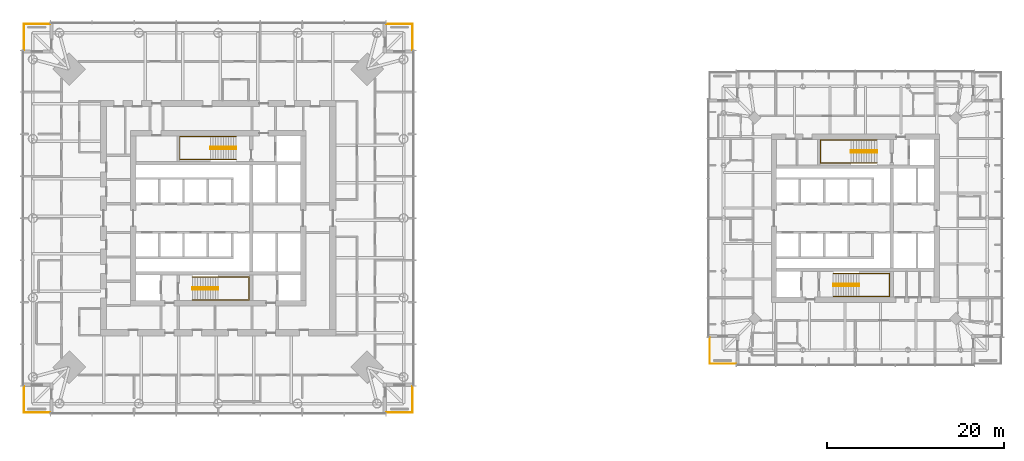
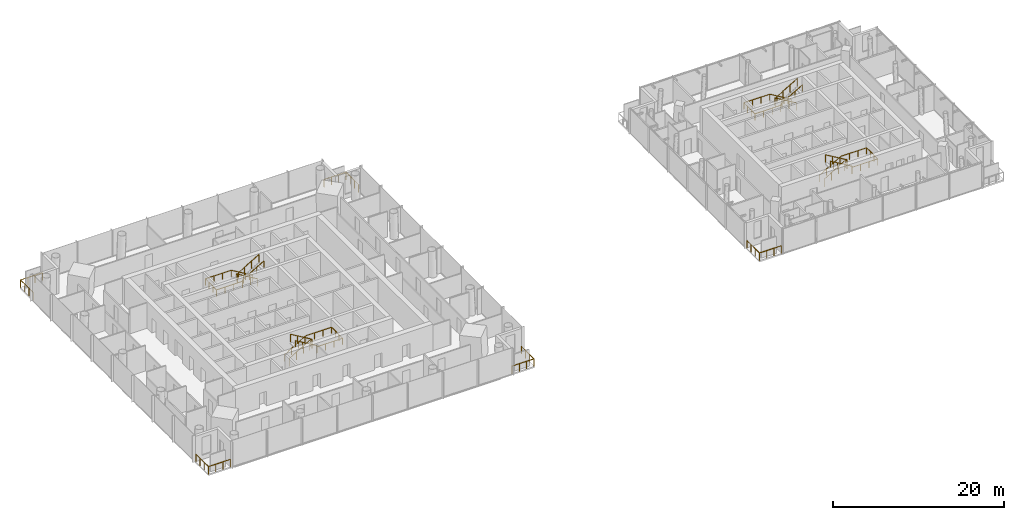
# One storey, part 18 of 19: 13 railings.
"""IFC4 building model written with IfcOpenShell, lengths in metres."""

import ifcopenshell
import ifcopenshell.guid

model = None  # the IFC model being written
_history = None  # IfcOwnerHistory: only IFC2X3 demands one
_inside = {}  # id of a spatial element -> (the spatial element, [elements in it])
_under = {}  # id of a project, library or spatial element -> (it, [spatial elements below it])
_declared = {}  # id of a project -> (the project, [libraries it declares])
_typed = {}  # id of a type object -> (the type object, [elements of that type])
_made_of = {}  # id of a material, layer set ... -> (it, [elements and type objects made of it])


def new_model(schema):
    """Start an empty IFC model of exactly this schema.

    Asked for "IFC4X3", IfcOpenShell would pick the latest addendum, in which some entities
    have other attributes; the version numbers below select the first issue.
    IFC2X3 requires an IfcOwnerHistory on every rooted entity: one is made here for all.
    """
    global model, _history
    if schema == "IFC4X3":
        model = ifcopenshell.file(schema_version=(4, 3, 0, 0))
    else:
        model = ifcopenshell.file(schema=schema)
    _inside.clear()
    _under.clear()
    _declared.clear()
    _typed.clear()
    _made_of.clear()
    _history = None
    if model.schema == "IFC2X3":
        org = make("IfcOrganization", Name="unknown")
        user = make(
            "IfcPersonAndOrganization",
            ThePerson=make("IfcPerson", FamilyName="unknown"),
            TheOrganization=org,
        )
        app = make(
            "IfcApplication",
            ApplicationDeveloper=org,
            Version="unknown",
            ApplicationFullName="unknown",
            ApplicationIdentifier="unknown",
        )
        _history = make(
            "IfcOwnerHistory",
            OwningUser=user,
            OwningApplication=app,
            ChangeAction="ADDED",
            CreationDate=0,
        )
    return model


def make(cls, **values):
    """One entity of the class cls with the attributes given. An attribute that is None is left unset."""
    return model.create_entity(
        cls, **{name: value for name, value in values.items() if value is not None}
    )


def rooted(cls, **values):
    """An entity with a GlobalId (a new one), such as an element, a storey or a relation."""
    return make(cls, GlobalId=ifcopenshell.guid.new(), OwnerHistory=_history, **values)


def si_unit(unit_type, name, prefix=None):
    """IfcSIUnit, for example si_unit("LENGTHUNIT", "METRE", prefix="MILLI")."""
    return make("IfcSIUnit", UnitType=unit_type, Prefix=prefix, Name=name)


def assignment(units):
    """IfcUnitAssignment: the units of a project."""
    return None if units is None else make("IfcUnitAssignment", Units=units)


def point(xyz):
    """IfcCartesianPoint."""
    return None if xyz is None else make("IfcCartesianPoint", Coordinates=xyz)


def direction(xyz):
    """IfcDirection."""
    return None if xyz is None else make("IfcDirection", DirectionRatios=xyz)


def frame(location, z_axis=None, x_axis=None):
    """IfcAxis2Placement3D, a coordinate frame: its origin and axes. An axis left out is left unset."""
    return make(
        "IfcAxis2Placement3D",
        Location=point(location),
        Axis=direction(z_axis),
        RefDirection=direction(x_axis),
    )


def frame_2d(location, x_axis=None):
    """IfcAxis2Placement2D, a coordinate frame in the plane: its origin and x axis."""
    return make(
        "IfcAxis2Placement2D", Location=point(location), RefDirection=direction(x_axis)
    )


def origin():
    """The frame at (0, 0, 0) with its axes left unset."""
    return frame((0.0, 0.0, 0.0))


def origin_2d():
    """The frame at (0, 0) in the plane with its x axis left unset."""
    return frame_2d((0.0, 0.0))


def place(relative_to, where):
    """IfcLocalPlacement: puts the frame where relative to a parent placement (None: the world)."""
    return make(
        "IfcLocalPlacement", PlacementRelTo=relative_to, RelativePlacement=where
    )


def context(
    kind, dimensions, precision=None, world=None, true_north=None, identifier=None
):
    """IfcGeometricRepresentationContext, for example the 3D "Model" context."""
    return make(
        "IfcGeometricRepresentationContext",
        ContextIdentifier=identifier,
        ContextType=kind,
        CoordinateSpaceDimension=dimensions,
        Precision=precision,
        WorldCoordinateSystem=world,
        TrueNorth=true_north,
    )


def subcontext(parent, identifier, kind, view, scale=None):
    """IfcGeometricRepresentationSubContext, for example "Body" below "Model"."""
    return make(
        "IfcGeometricRepresentationSubContext",
        ContextIdentifier=identifier,
        ContextType=kind,
        ParentContext=parent,
        TargetScale=scale,
        TargetView=view,
    )


def project(units=None, contexts=None):
    """IfcProject with its units and contexts."""
    return rooted(
        "IfcProject",
        Name="project",
        RepresentationContexts=contexts,
        UnitsInContext=assignment(units),
    )


def spatial(cls, under=None, at=None, **own):
    """A site, building, storey or space (cls), placed at a placement, below another one or the project."""
    s = rooted(cls, ObjectPlacement=at, **own)
    if under is not None:
        _under.setdefault(under.id(), (under, []))[1].append(s)
    return s


def profile(cls, at=None, kind="AREA", **sizes):
    """A parametric profile (cls). Its sizes go by their IFC names, for example OverallWidth=200.0."""
    return make(cls, ProfileType=kind, Position=at, **sizes)


def circle(**sizes):
    """IfcCircleProfileDef."""
    return profile("IfcCircleProfileDef", **sizes)


def extrude(swept, where, along, depth):
    """IfcExtrudedAreaSolid: the profile swept, set in the frame where, extruded along a direction by depth."""
    return make(
        "IfcExtrudedAreaSolid",
        SweptArea=swept,
        Position=where,
        ExtrudedDirection=direction(along),
        Depth=depth,
    )


def shape(context_of_items, identifier, shape_type, items):
    """IfcShapeRepresentation: the items that make up one representation, for example the "Body"."""
    return make(
        "IfcShapeRepresentation",
        ContextOfItems=context_of_items,
        RepresentationIdentifier=identifier,
        RepresentationType=shape_type,
        Items=items,
    )


def material(Name=None, Category=None):
    """IfcMaterial."""
    return make("IfcMaterial", Name=Name, Category=Category)


def made_of(thing, what):
    """Note that an element or type object is made of a material, layer set ...; save() writes the relation."""
    if what is not None:
        _made_of.setdefault(what.id(), (what, []))[1].append(thing)
    return thing


def type_object(cls, material=None, **own):
    """A type object (cls), such as IfcWallType, which elements share."""
    return made_of(rooted(cls, **own), material)


def element(
    cls,
    number,
    at=None,
    inside=None,
    cuts=None,
    type_object=None,
    material=None,
    context=None,
    identifier="Body",
    shape_type=None,
    held_by="IfcProductDefinitionShape",
    body=None,
    shapes=None,
    **own,
):
    """One element of the class cls, such as IfcWall. Its Tag is "e" and its number.

    at: its placement. inside: the storey or other place that contains it. cuts: it is an
    opening in that element (IfcRelVoidsElement). A single representation is given by context,
    identifier, shape_type and body (its items); several are given by shapes. held_by: the class
    of the entity that holds the representations. save() writes the other relations.
    """
    e = rooted(cls, Tag="e%d" % number, ObjectPlacement=at, **own)
    if body is not None:
        shapes = [shape(context, identifier, shape_type, body)]
    if shapes is not None:
        e.Representation = make(held_by, Representations=shapes)
    if inside is not None:
        _inside.setdefault(inside.id(), (inside, []))[1].append(e)
    if cuts is not None:
        rooted(
            "IfcRelVoidsElement", RelatingBuildingElement=cuts, RelatedOpeningElement=e
        )
    if type_object is not None:
        _typed.setdefault(type_object.id(), (type_object, []))[1].append(e)
    return made_of(e, material)


def aggregate(whole, parts):
    """IfcRelAggregates: a whole, such as a stair, and the parts it consists of."""
    return rooted("IfcRelAggregates", RelatingObject=whole, RelatedObjects=parts)


def save(model, path):
    """Write the relations noted so far, then the file.

    IfcRelAggregates (storeys below a building ...), IfcRelContainedInSpatialStructure (elements
    in a storey), IfcRelDefinesByType, IfcRelAssociatesMaterial and IfcRelDeclares: one each for
    every whole, place, type object, material and project.
    """
    for whole, parts in _under.values():
        aggregate(whole, parts)
    for where, things in _inside.values():
        rooted(
            "IfcRelContainedInSpatialStructure",
            RelatedElements=things,
            RelatingStructure=where,
        )
    for kind, things in _typed.values():
        rooted("IfcRelDefinesByType", RelatedObjects=things, RelatingType=kind)
    for what, things in _made_of.values():
        rooted("IfcRelAssociatesMaterial", RelatedObjects=things, RelatingMaterial=what)
    for by, libraries in _declared.values():
        rooted("IfcRelDeclares", RelatingContext=by, RelatedDefinitions=libraries)
    model.write(path)


model = new_model("IFC4")

# Units and contexts
model_context = context("Model", 3, precision=1e-05, world=origin(), true_north=direction((0.0, 1.0)))
body_context = subcontext(model_context, "Body", "Model", "MODEL_VIEW")
ifc_project = project(units=[si_unit("LENGTHUNIT", "METRE"), si_unit("AREAUNIT", "SQUARE_METRE"), si_unit("VOLUMEUNIT", "CUBIC_METRE"), si_unit("PLANEANGLEUNIT", "RADIAN"), si_unit("MASSUNIT", "GRAM", prefix="KILO")], contexts=[model_context])

# Site, building, storey
site_placement = place(None, origin())
site = spatial("IfcSite", under=ifc_project, at=site_placement, CompositionType="ELEMENT")
building_placement = place(site_placement, origin())
building = spatial("IfcBuilding", under=site, at=building_placement, Name="Ostroluk Exchange", CompositionType="ELEMENT")
storey_placement = place(building_placement, frame((0.0, 0.0, 116.0)))
storey = spatial("IfcBuildingStorey", under=building, at=storey_placement, Name="L29", CompositionType="ELEMENT", Elevation=116.0)

# Railings
ifc_material_1 = material(Name="Stainless steel", Category="steel")
railing_type_1 = type_object("IfcRailingType", Name="Guard 1100 stainless steel", PredefinedType="GUARDRAIL", material=ifc_material_1)
railing_1_placement = place(storey_placement, frame((64.0, 24.050048828125, 0.0)))
element("IfcRailing", 1, at=railing_1_placement, inside=storey, type_object=railing_type_1, Name="Office tower SE balcony guard L29", PredefinedType="GUARDRAIL", context=body_context, shape_type="SweptSolid", body=[
    extrude(circle(Radius=0.02392578125, at=origin_2d()), frame((0.0, 0.0, 1.076171875), z_axis=(1.0, 0.0, 0.0), x_axis=(0.0, 1.0, 0.0)), (0.0, 0.0, 1.0), 2.949951171875),
    extrude(circle(Radius=0.02392578125, at=origin_2d()), frame((2.949951171875, 0.0, 1.076171875), z_axis=(0.0, 1.0, 0.0), x_axis=(-1.0, 0.0, 0.0)), (0.0, 0.0, 1.0), 2.949951171875),
    extrude(circle(Radius=0.02099609375, at=origin_2d()), origin(), (0.0, 0.0, 1.0), 1.052001953125),
    extrude(circle(Radius=0.02099609375, at=origin_2d()), frame((0.9833984375, 0.0, 0.0)), (0.0, 0.0, 1.0), 1.052001953125),
    extrude(circle(Radius=0.02099609375, at=origin_2d()), frame((1.966552734375, 0.0, 0.0)), (0.0, 0.0, 1.0), 1.052001953125),
    extrude(circle(Radius=0.02099609375, at=origin_2d()), frame((2.949951171875, 0.0, 0.0)), (0.0, 0.0, 1.0), 1.052001953125),
    extrude(circle(Radius=0.02099609375, at=origin_2d()), frame((2.949951171875, 0.9833984375, 0.0)), (0.0, 0.0, 1.0), 1.052001953125),
    extrude(circle(Radius=0.02099609375, at=origin_2d()), frame((2.949951171875, 1.966552734375, 0.0)), (0.0, 0.0, 1.0), 1.052001953125),
    extrude(circle(Radius=0.02099609375, at=origin_2d()), frame((2.949951171875, 2.949951171875, 0.0)), (0.0, 0.0, 1.0), 1.052001953125),
])
railing_2_placement = place(storey_placement, frame((64.0, 67.949951171875, 0.0)))
element("IfcRailing", 2, at=railing_2_placement, inside=storey, type_object=railing_type_1, Name="Office tower NE balcony guard L29", PredefinedType="GUARDRAIL", context=body_context, shape_type="SweptSolid", body=[
    extrude(circle(Radius=0.02392578125, at=origin_2d()), frame((0.0, 0.0, 1.076171875), z_axis=(1.0, 0.0, 0.0), x_axis=(0.0, 1.0, 0.0)), (0.0, 0.0, 1.0), 2.949951171875),
    extrude(circle(Radius=0.02392578125, at=origin_2d()), frame((2.949951171875, 0.0, 1.076171875), z_axis=(0.0, -1.0, 0.0), x_axis=(1.0, 0.0, 0.0)), (0.0, 0.0, 1.0), 2.949951171875),
    extrude(circle(Radius=0.02099609375, at=origin_2d()), origin(), (0.0, 0.0, 1.0), 1.052001953125),
    extrude(circle(Radius=0.02099609375, at=origin_2d()), frame((0.9833984375, 0.0, 0.0)), (0.0, 0.0, 1.0), 1.052001953125),
    extrude(circle(Radius=0.02099609375, at=origin_2d()), frame((1.966552734375, 0.0, 0.0)), (0.0, 0.0, 1.0), 1.052001953125),
    extrude(circle(Radius=0.02099609375, at=origin_2d()), frame((2.949951171875, 0.0, 0.0)), (0.0, 0.0, 1.0), 1.052001953125),
    extrude(circle(Radius=0.02099609375, at=origin_2d()), frame((2.949951171875, -0.9833984375, 0.0)), (0.0, 0.0, 1.0), 1.052001953125),
    extrude(circle(Radius=0.02099609375, at=origin_2d()), frame((2.949951171875, -1.966552734375, 0.0)), (0.0, 0.0, 1.0), 1.052001953125),
    extrude(circle(Radius=0.02099609375, at=origin_2d()), frame((2.949951171875, -2.949951171875, 0.0)), (0.0, 0.0, 1.0), 1.052001953125),
])
railing_3_placement = place(storey_placement, frame((26.0, 67.949951171875, 0.0)))
element("IfcRailing", 3, at=railing_3_placement, inside=storey, type_object=railing_type_1, Name="Office tower NW balcony guard L29", PredefinedType="GUARDRAIL", context=body_context, shape_type="SweptSolid", body=[
    extrude(circle(Radius=0.02392578125, at=origin_2d()), frame((0.0, 0.0, 1.076171875), z_axis=(-1.0, 0.0, 0.0), x_axis=(0.0, -1.0, 0.0)), (0.0, 0.0, 1.0), 2.949951171875),
    extrude(circle(Radius=0.02392578125, at=origin_2d()), frame((-2.949951171875, 0.0, 1.076171875), z_axis=(0.0, -1.0, 0.0), x_axis=(1.0, 0.0, 0.0)), (0.0, 0.0, 1.0), 2.949951171875),
    extrude(circle(Radius=0.02099609375, at=origin_2d()), origin(), (0.0, 0.0, 1.0), 1.052001953125),
    extrude(circle(Radius=0.02099609375, at=origin_2d()), frame((-0.9833984375, 0.0, 0.0)), (0.0, 0.0, 1.0), 1.052001953125),
    extrude(circle(Radius=0.02099609375, at=origin_2d()), frame((-1.966552734375, 0.0, 0.0)), (0.0, 0.0, 1.0), 1.052001953125),
    extrude(circle(Radius=0.02099609375, at=origin_2d()), frame((-2.949951171875, 0.0, 0.0)), (0.0, 0.0, 1.0), 1.052001953125),
    extrude(circle(Radius=0.02099609375, at=origin_2d()), frame((-2.949951171875, -0.9833984375, 0.0)), (0.0, 0.0, 1.0), 1.052001953125),
    extrude(circle(Radius=0.02099609375, at=origin_2d()), frame((-2.949951171875, -1.966552734375, 0.0)), (0.0, 0.0, 1.0), 1.052001953125),
    extrude(circle(Radius=0.02099609375, at=origin_2d()), frame((-2.949951171875, -2.949951171875, 0.0)), (0.0, 0.0, 1.0), 1.052001953125),
])
for number, where, name in (
    (4, (26.0, 24.050048828125, 0.0), "Office tower SW balcony guard L29"),
    (5, (103.5, 29.550048828125, 0.0), "Hotel tower SW balcony guard L29"),
):
    element("IfcRailing", number, at=place(storey_placement, frame(where)), inside=storey, type_object=railing_type_1, Name=name, PredefinedType="GUARDRAIL", context=body_context, shape_type="SweptSolid", body=[
        extrude(circle(Radius=0.02392578125, at=origin_2d()), frame((0.0, 0.0, 1.076171875), z_axis=(-1.0, 0.0, 0.0), x_axis=(0.0, -1.0, 0.0)), (0.0, 0.0, 1.0), 2.949951171875),
        extrude(circle(Radius=0.02392578125, at=origin_2d()), frame((-2.949951171875, 0.0, 1.076171875), z_axis=(0.0, 1.0, 0.0), x_axis=(-1.0, 0.0, 0.0)), (0.0, 0.0, 1.0), 2.949951171875),
        extrude(circle(Radius=0.02099609375, at=origin_2d()), origin(), (0.0, 0.0, 1.0), 1.052001953125),
        extrude(circle(Radius=0.02099609375, at=origin_2d()), frame((-0.9833984375, 0.0, 0.0)), (0.0, 0.0, 1.0), 1.052001953125),
        extrude(circle(Radius=0.02099609375, at=origin_2d()), frame((-1.966552734375, 0.0, 0.0)), (0.0, 0.0, 1.0), 1.052001953125),
        extrude(circle(Radius=0.02099609375, at=origin_2d()), frame((-2.949951171875, 0.0, 0.0)), (0.0, 0.0, 1.0), 1.052001953125),
        extrude(circle(Radius=0.02099609375, at=origin_2d()), frame((-2.949951171875, 0.9833984375, 0.0)), (0.0, 0.0, 1.0), 1.052001953125),
        extrude(circle(Radius=0.02099609375, at=origin_2d()), frame((-2.949951171875, 1.966552734375, 0.0)), (0.0, 0.0, 1.0), 1.052001953125),
        extrude(circle(Radius=0.02099609375, at=origin_2d()), frame((-2.949951171875, 2.949951171875, 0.0)), (0.0, 0.0, 1.0), 1.052001953125),
    ])
ifc_material_2 = material(Name="Steel S355", Category="steel")
railing_type_2 = type_object("IfcRailingType", Name="Stair guard 1100", PredefinedType="GUARDRAIL", material=ifc_material_2)
railing_4_placement = place(storey_placement, frame((42.10009765625, 38.179931640625, 0.172607421875)))
element("IfcRailing", 6, at=railing_4_placement, inside=storey, type_object=railing_type_2, Name="Stair T1-S1 guard L29", PredefinedType="GUARDRAIL", context=body_context, shape_type="SweptSolid", body=[
    extrude(circle(Radius=0.02392578125, at=origin_2d()), frame((0.0, 0.0, 1.076171875), z_axis=(0.859141464434, 0.0, 0.511738159696), x_axis=(0.0, 1.0, 0.0)), (0.0, 0.0, 1.0), 3.375244140625),
    extrude(circle(Radius=0.02392578125, at=origin_2d()), frame((2.89990234375, 0.0, 2.80322265625), z_axis=(0.0, -1.0, 0.0), x_axis=(1.0, 0.0, 0.0)), (0.0, 0.0, 1.0), 0.260009765625),
    extrude(circle(Radius=0.02392578125, at=origin_2d()), frame((2.89990234375, -0.260009765625, 2.80322265625), z_axis=(0.0, 0.0, 1.0), x_axis=(1.0, 0.0, 0.0)), (0.0, 0.0, 1.0), 0.1728515625),
    extrude(circle(Radius=0.02392578125, at=origin_2d()), frame((2.89990234375, -0.260009765625, 2.97607421875), z_axis=(-0.859141464434, 0.0, 0.511738159696), x_axis=(0.0, -1.0, 0.0)), (0.0, 0.0, 1.0), 3.375244140625),
    extrude(circle(Radius=0.02099609375, at=origin_2d()), origin(), (0.0, 0.0, 1.0), 1.052001953125),
    extrude(circle(Radius=0.02099609375, at=origin_2d()), frame((0.966552734375, 0.0, 0.57568359375)), (0.0, 0.0, 1.0), 1.052001953125),
    extrude(circle(Radius=0.02099609375, at=origin_2d()), frame((1.933349609375, 0.0, 1.151611328125)), (0.0, 0.0, 1.0), 1.052001953125),
    extrude(circle(Radius=0.02099609375, at=origin_2d()), frame((2.89990234375, 0.0, 1.727294921875)), (0.0, 0.0, 1.0), 1.052001953125),
    extrude(circle(Radius=0.02099609375, at=origin_2d()), frame((2.89990234375, -0.260009765625, 1.727294921875)), (0.0, 0.0, 1.0), 1.052001953125),
    extrude(circle(Radius=0.02099609375, at=origin_2d()), frame((2.89990234375, -0.260009765625, 1.900146484375)), (0.0, 0.0, 1.0), 1.052001953125),
    extrude(circle(Radius=0.02099609375, at=origin_2d()), frame((1.933349609375, -0.260009765625, 2.475830078125)), (0.0, 0.0, 1.0), 1.052001953125),
    extrude(circle(Radius=0.02099609375, at=origin_2d()), frame((0.966552734375, -0.260009765625, 3.0517578125)), (0.0, 0.0, 1.0), 1.052001953125),
    extrude(circle(Radius=0.02099609375, at=origin_2d()), frame((0.0, -0.260009765625, 3.62744140625)), (0.0, 0.0, 1.0), 1.052001953125),
])
railing_5_placement = place(storey_placement, frame((47.030029296875, 54.080078125, 0.172607421875)))
element("IfcRailing", 7, at=railing_5_placement, inside=storey, type_object=railing_type_2, Name="Stair T1-S2 guard L29", PredefinedType="GUARDRAIL", context=body_context, shape_type="SweptSolid", body=[
    extrude(circle(Radius=0.02392578125, at=origin_2d()), frame((0.0, 0.0, 1.076171875), z_axis=(-0.859160404282, 0.0, 0.51170636083), x_axis=(0.0, -1.0, 0.0)), (0.0, 0.0, 1.0), 3.37548828125),
    extrude(circle(Radius=0.02392578125, at=origin_2d()), frame((-2.900146484375, 0.0, 2.80322265625), z_axis=(0.0, -1.0, 0.0), x_axis=(1.0, 0.0, 0.0)), (0.0, 0.0, 1.0), 0.260009765625),
    extrude(circle(Radius=0.02392578125, at=origin_2d()), frame((-2.900146484375, -0.260009765625, 2.80322265625), z_axis=(0.0, 0.0, 1.0), x_axis=(1.0, 0.0, 0.0)), (0.0, 0.0, 1.0), 0.1728515625),
    extrude(circle(Radius=0.02392578125, at=origin_2d()), frame((-2.900146484375, -0.260009765625, 2.97607421875), z_axis=(0.859160404282, 0.0, 0.51170636083), x_axis=(0.0, 1.0, 0.0)), (0.0, 0.0, 1.0), 3.37548828125),
    extrude(circle(Radius=0.02099609375, at=origin_2d()), origin(), (0.0, 0.0, 1.0), 1.052001953125),
    extrude(circle(Radius=0.02099609375, at=origin_2d()), frame((-0.966796875, 0.0, 0.57568359375)), (0.0, 0.0, 1.0), 1.052001953125),
    extrude(circle(Radius=0.02099609375, at=origin_2d()), frame((-1.933349609375, 0.0, 1.151611328125)), (0.0, 0.0, 1.0), 1.052001953125),
    extrude(circle(Radius=0.02099609375, at=origin_2d()), frame((-2.900146484375, 0.0, 1.727294921875)), (0.0, 0.0, 1.0), 1.052001953125),
    extrude(circle(Radius=0.02099609375, at=origin_2d()), frame((-2.900146484375, -0.260009765625, 1.727294921875)), (0.0, 0.0, 1.0), 1.052001953125),
    extrude(circle(Radius=0.02099609375, at=origin_2d()), frame((-2.900146484375, -0.260009765625, 1.900146484375)), (0.0, 0.0, 1.0), 1.052001953125),
    extrude(circle(Radius=0.02099609375, at=origin_2d()), frame((-1.933349609375, -0.260009765625, 2.475830078125)), (0.0, 0.0, 1.0), 1.052001953125),
    extrude(circle(Radius=0.02099609375, at=origin_2d()), frame((-0.966796875, -0.260009765625, 3.0517578125)), (0.0, 0.0, 1.0), 1.052001953125),
    extrude(circle(Radius=0.02099609375, at=origin_2d()), frame((0.0, -0.260009765625, 3.62744140625)), (0.0, 0.0, 1.0), 1.052001953125),
])
railing_6_placement = place(storey_placement, frame((114.5, 38.580078125, 0.172607421875)))
element("IfcRailing", 8, at=railing_6_placement, inside=storey, type_object=railing_type_2, Name="Stair T2-S1 guard L29", PredefinedType="GUARDRAIL", context=body_context, shape_type="SweptSolid", body=[
    extrude(circle(Radius=0.02392578125, at=origin_2d()), frame((0.0, 0.0, 1.076171875), z_axis=(0.859141464434, 0.0, 0.511738159696), x_axis=(0.0, 1.0, 0.0)), (0.0, 0.0, 1.0), 3.375244140625),
    extrude(circle(Radius=0.02392578125, at=origin_2d()), frame((2.89990234375, 0.0, 2.80322265625), z_axis=(0.0, -1.0, 0.0), x_axis=(1.0, 0.0, 0.0)), (0.0, 0.0, 1.0), 0.260009765625),
    extrude(circle(Radius=0.02392578125, at=origin_2d()), frame((2.89990234375, -0.260009765625, 2.80322265625), z_axis=(0.0, 0.0, 1.0), x_axis=(1.0, 0.0, 0.0)), (0.0, 0.0, 1.0), 0.1728515625),
    extrude(circle(Radius=0.02392578125, at=origin_2d()), frame((2.89990234375, -0.260009765625, 2.97607421875), z_axis=(-0.859141464434, 0.0, 0.511738159696), x_axis=(0.0, -1.0, 0.0)), (0.0, 0.0, 1.0), 3.375244140625),
    extrude(circle(Radius=0.02099609375, at=origin_2d()), origin(), (0.0, 0.0, 1.0), 1.052001953125),
    extrude(circle(Radius=0.02099609375, at=origin_2d()), frame((0.966552734375, 0.0, 0.57568359375)), (0.0, 0.0, 1.0), 1.052001953125),
    extrude(circle(Radius=0.02099609375, at=origin_2d()), frame((1.933349609375, 0.0, 1.151611328125)), (0.0, 0.0, 1.0), 1.052001953125),
    extrude(circle(Radius=0.02099609375, at=origin_2d()), frame((2.89990234375, 0.0, 1.727294921875)), (0.0, 0.0, 1.0), 1.052001953125),
    extrude(circle(Radius=0.02099609375, at=origin_2d()), frame((2.89990234375, -0.260009765625, 1.727294921875)), (0.0, 0.0, 1.0), 1.052001953125),
    extrude(circle(Radius=0.02099609375, at=origin_2d()), frame((2.89990234375, -0.260009765625, 1.900146484375)), (0.0, 0.0, 1.0), 1.052001953125),
    extrude(circle(Radius=0.02099609375, at=origin_2d()), frame((1.933349609375, -0.260009765625, 2.475830078125)), (0.0, 0.0, 1.0), 1.052001953125),
    extrude(circle(Radius=0.02099609375, at=origin_2d()), frame((0.966552734375, -0.260009765625, 3.0517578125)), (0.0, 0.0, 1.0), 1.052001953125),
    extrude(circle(Radius=0.02099609375, at=origin_2d()), frame((0.0, -0.260009765625, 3.62744140625)), (0.0, 0.0, 1.0), 1.052001953125),
])
railing_7_placement = place(storey_placement, frame((119.429931640625, 53.679931640625, 0.172607421875)))
element("IfcRailing", 9, at=railing_7_placement, inside=storey, type_object=railing_type_2, Name="Stair T2-S2 guard L29", PredefinedType="GUARDRAIL", context=body_context, shape_type="SweptSolid", body=[
    extrude(circle(Radius=0.02392578125, at=origin_2d()), frame((0.0, 0.0, 1.076171875), z_axis=(-0.859141464434, 0.0, 0.511738159696), x_axis=(0.0, -1.0, 0.0)), (0.0, 0.0, 1.0), 3.375244140625),
    extrude(circle(Radius=0.02392578125, at=origin_2d()), frame((-2.89990234375, 0.0, 2.80322265625), z_axis=(0.0, -1.0, 0.0), x_axis=(1.0, 0.0, 0.0)), (0.0, 0.0, 1.0), 0.260009765625),
    extrude(circle(Radius=0.02392578125, at=origin_2d()), frame((-2.89990234375, -0.260009765625, 2.80322265625), z_axis=(0.0, 0.0, 1.0), x_axis=(1.0, 0.0, 0.0)), (0.0, 0.0, 1.0), 0.1728515625),
    extrude(circle(Radius=0.02392578125, at=origin_2d()), frame((-2.89990234375, -0.260009765625, 2.97607421875), z_axis=(0.859141464434, 0.0, 0.511738159696), x_axis=(0.0, 1.0, 0.0)), (0.0, 0.0, 1.0), 3.375244140625),
    extrude(circle(Radius=0.02099609375, at=origin_2d()), origin(), (0.0, 0.0, 1.0), 1.052001953125),
    extrude(circle(Radius=0.02099609375, at=origin_2d()), frame((-0.966552734375, 0.0, 0.57568359375)), (0.0, 0.0, 1.0), 1.052001953125),
    extrude(circle(Radius=0.02099609375, at=origin_2d()), frame((-1.933349609375, 0.0, 1.151611328125)), (0.0, 0.0, 1.0), 1.052001953125),
    extrude(circle(Radius=0.02099609375, at=origin_2d()), frame((-2.89990234375, 0.0, 1.727294921875)), (0.0, 0.0, 1.0), 1.052001953125),
    extrude(circle(Radius=0.02099609375, at=origin_2d()), frame((-2.89990234375, -0.260009765625, 1.727294921875)), (0.0, 0.0, 1.0), 1.052001953125),
    extrude(circle(Radius=0.02099609375, at=origin_2d()), frame((-2.89990234375, -0.260009765625, 1.900146484375)), (0.0, 0.0, 1.0), 1.052001953125),
    extrude(circle(Radius=0.02099609375, at=origin_2d()), frame((-1.933349609375, -0.260009765625, 2.475830078125)), (0.0, 0.0, 1.0), 1.052001953125),
    extrude(circle(Radius=0.02099609375, at=origin_2d()), frame((-0.966552734375, -0.260009765625, 3.0517578125)), (0.0, 0.0, 1.0), 1.052001953125),
    extrude(circle(Radius=0.02099609375, at=origin_2d()), frame((0.0, -0.260009765625, 3.62744140625)), (0.0, 0.0, 1.0), 1.052001953125),
])
ifc_material_3 = material(Name="Stainless steel", Category="steel")
railing_type_3 = type_object("IfcRailingType", Name="Stair handrail 900", PredefinedType="HANDRAIL", material=ifc_material_3)
railing_8_placement = place(storey_placement, frame((42.10009765625, 39.35009765625, 0.172607421875)))
element("IfcRailing", 10, at=railing_8_placement, inside=storey, type_object=railing_type_3, Name="Stair T1-S1 handrail L29", PredefinedType="HANDRAIL", context=body_context, shape_type="SweptSolid", body=[
    extrude(circle(Radius=0.02392578125, at=origin_2d()), frame((0.0, 0.0, 0.8759765625), z_axis=(0.859141464434, 0.0, 0.511738159696), x_axis=(0.0, 1.0, 0.0)), (0.0, 0.0, 1.0), 3.375244140625),
    extrude(circle(Radius=0.02392578125, at=origin_2d()), frame((2.89990234375, 0.0, 2.60302734375), z_axis=(1.0, 0.0, 0.0), x_axis=(0.0, 1.0, 0.0)), (0.0, 0.0, 1.0), 3.47998046875),
    extrude(circle(Radius=0.02392578125, at=origin_2d()), frame((6.3798828125, 0.0, 2.60302734375), z_axis=(0.0, -1.0, 0.0), x_axis=(1.0, 0.0, 0.0)), (0.0, 0.0, 1.0), 2.60009765625),
    extrude(circle(Radius=0.02392578125, at=origin_2d()), frame((6.3798828125, -2.60009765625, 2.60302734375), z_axis=(-1.0, 0.0, 0.0), x_axis=(0.0, -1.0, 0.0)), (0.0, 0.0, 1.0), 3.47998046875),
    extrude(circle(Radius=0.02392578125, at=origin_2d()), frame((2.89990234375, -2.60009765625, 2.60302734375), z_axis=(0.0, 0.0, 1.0), x_axis=(1.0, 0.0, 0.0)), (0.0, 0.0, 1.0), 0.1728515625),
    extrude(circle(Radius=0.02392578125, at=origin_2d()), frame((2.89990234375, -2.60009765625, 2.77587890625), z_axis=(-0.859141464434, 0.0, 0.511738159696), x_axis=(0.0, -1.0, 0.0)), (0.0, 0.0, 1.0), 3.375244140625),
    extrude(circle(Radius=0.02099609375, at=origin_2d()), origin(), (0.0, 0.0, 1.0), 0.851806640625),
    extrude(circle(Radius=0.02099609375, at=origin_2d()), frame((0.966552734375, 0.0, 0.57568359375)), (0.0, 0.0, 1.0), 0.851806640625),
    extrude(circle(Radius=0.02099609375, at=origin_2d()), frame((1.933349609375, 0.0, 1.151611328125)), (0.0, 0.0, 1.0), 0.851806640625),
    extrude(circle(Radius=0.02099609375, at=origin_2d()), frame((2.89990234375, 0.0, 1.727294921875)), (0.0, 0.0, 1.0), 0.851806640625),
    extrude(circle(Radius=0.02099609375, at=origin_2d()), frame((4.059814453125, 0.0, 1.727294921875)), (0.0, 0.0, 1.0), 0.851806640625),
    extrude(circle(Radius=0.02099609375, at=origin_2d()), frame((5.219970703125, 0.0, 1.727294921875)), (0.0, 0.0, 1.0), 0.851806640625),
    extrude(circle(Radius=0.02099609375, at=origin_2d()), frame((6.3798828125, 0.0, 1.727294921875)), (0.0, 0.0, 1.0), 0.851806640625),
    extrude(circle(Radius=0.02099609375, at=origin_2d()), frame((6.3798828125, -0.86669921875, 1.727294921875)), (0.0, 0.0, 1.0), 0.851806640625),
    extrude(circle(Radius=0.02099609375, at=origin_2d()), frame((6.3798828125, -1.7333984375, 1.727294921875)), (0.0, 0.0, 1.0), 0.851806640625),
    extrude(circle(Radius=0.02099609375, at=origin_2d()), frame((6.3798828125, -2.60009765625, 1.727294921875)), (0.0, 0.0, 1.0), 0.851806640625),
    extrude(circle(Radius=0.02099609375, at=origin_2d()), frame((5.219970703125, -2.60009765625, 1.727294921875)), (0.0, 0.0, 1.0), 0.851806640625),
    extrude(circle(Radius=0.02099609375, at=origin_2d()), frame((4.059814453125, -2.60009765625, 1.727294921875)), (0.0, 0.0, 1.0), 0.851806640625),
    extrude(circle(Radius=0.02099609375, at=origin_2d()), frame((2.89990234375, -2.60009765625, 1.727294921875)), (0.0, 0.0, 1.0), 0.851806640625),
    extrude(circle(Radius=0.02099609375, at=origin_2d()), frame((2.89990234375, -2.60009765625, 1.900146484375)), (0.0, 0.0, 1.0), 0.851806640625),
    extrude(circle(Radius=0.02099609375, at=origin_2d()), frame((1.933349609375, -2.60009765625, 2.475830078125)), (0.0, 0.0, 1.0), 0.851806640625),
    extrude(circle(Radius=0.02099609375, at=origin_2d()), frame((0.966552734375, -2.60009765625, 3.0517578125)), (0.0, 0.0, 1.0), 0.851806640625),
    extrude(circle(Radius=0.02099609375, at=origin_2d()), frame((0.0, -2.60009765625, 3.62744140625)), (0.0, 0.0, 1.0), 0.851806640625),
])
railing_9_placement = place(storey_placement, frame((47.030029296875, 55.25, 0.172607421875)))
element("IfcRailing", 11, at=railing_9_placement, inside=storey, type_object=railing_type_3, Name="Stair T1-S2 handrail L29", PredefinedType="HANDRAIL", context=body_context, shape_type="SweptSolid", body=[
    extrude(circle(Radius=0.02392578125, at=origin_2d()), frame((0.0, 0.0, 0.8759765625), z_axis=(-0.859160404282, 0.0, 0.51170636083), x_axis=(0.0, -1.0, 0.0)), (0.0, 0.0, 1.0), 3.37548828125),
    extrude(circle(Radius=0.02392578125, at=origin_2d()), frame((-2.900146484375, 0.0, 2.60302734375), z_axis=(-1.0, 0.0, 0.0), x_axis=(0.0, -1.0, 0.0)), (0.0, 0.0, 1.0), 3.47998046875),
    extrude(circle(Radius=0.02392578125, at=origin_2d()), frame((-6.380126953125, 0.0, 2.60302734375), z_axis=(0.0, -1.0, 0.0), x_axis=(1.0, 0.0, 0.0)), (0.0, 0.0, 1.0), 2.60009765625),
    extrude(circle(Radius=0.02392578125, at=origin_2d()), frame((-6.380126953125, -2.60009765625, 2.60302734375), z_axis=(1.0, 0.0, 0.0), x_axis=(0.0, 1.0, 0.0)), (0.0, 0.0, 1.0), 3.47998046875),
    extrude(circle(Radius=0.02392578125, at=origin_2d()), frame((-2.900146484375, -2.60009765625, 2.60302734375), z_axis=(0.0, 0.0, 1.0), x_axis=(1.0, 0.0, 0.0)), (0.0, 0.0, 1.0), 0.1728515625),
    extrude(circle(Radius=0.02392578125, at=origin_2d()), frame((-2.900146484375, -2.60009765625, 2.77587890625), z_axis=(0.859160404282, 0.0, 0.51170636083), x_axis=(0.0, 1.0, 0.0)), (0.0, 0.0, 1.0), 3.37548828125),
    extrude(circle(Radius=0.02099609375, at=origin_2d()), origin(), (0.0, 0.0, 1.0), 0.851806640625),
    extrude(circle(Radius=0.02099609375, at=origin_2d()), frame((-0.966796875, 0.0, 0.57568359375)), (0.0, 0.0, 1.0), 0.851806640625),
    extrude(circle(Radius=0.02099609375, at=origin_2d()), frame((-1.933349609375, 0.0, 1.151611328125)), (0.0, 0.0, 1.0), 0.851806640625),
    extrude(circle(Radius=0.02099609375, at=origin_2d()), frame((-2.900146484375, 0.0, 1.727294921875)), (0.0, 0.0, 1.0), 0.851806640625),
    extrude(circle(Radius=0.02099609375, at=origin_2d()), frame((-4.06005859375, 0.0, 1.727294921875)), (0.0, 0.0, 1.0), 0.851806640625),
    extrude(circle(Radius=0.02099609375, at=origin_2d()), frame((-5.22021484375, 0.0, 1.727294921875)), (0.0, 0.0, 1.0), 0.851806640625),
    extrude(circle(Radius=0.02099609375, at=origin_2d()), frame((-6.380126953125, 0.0, 1.727294921875)), (0.0, 0.0, 1.0), 0.851806640625),
    extrude(circle(Radius=0.02099609375, at=origin_2d()), frame((-6.380126953125, -0.86669921875, 1.727294921875)), (0.0, 0.0, 1.0), 0.851806640625),
    extrude(circle(Radius=0.02099609375, at=origin_2d()), frame((-6.380126953125, -1.7333984375, 1.727294921875)), (0.0, 0.0, 1.0), 0.851806640625),
    extrude(circle(Radius=0.02099609375, at=origin_2d()), frame((-6.380126953125, -2.60009765625, 1.727294921875)), (0.0, 0.0, 1.0), 0.851806640625),
    extrude(circle(Radius=0.02099609375, at=origin_2d()), frame((-5.22021484375, -2.60009765625, 1.727294921875)), (0.0, 0.0, 1.0), 0.851806640625),
    extrude(circle(Radius=0.02099609375, at=origin_2d()), frame((-4.06005859375, -2.60009765625, 1.727294921875)), (0.0, 0.0, 1.0), 0.851806640625),
    extrude(circle(Radius=0.02099609375, at=origin_2d()), frame((-2.900146484375, -2.60009765625, 1.727294921875)), (0.0, 0.0, 1.0), 0.851806640625),
    extrude(circle(Radius=0.02099609375, at=origin_2d()), frame((-2.900146484375, -2.60009765625, 1.900146484375)), (0.0, 0.0, 1.0), 0.851806640625),
    extrude(circle(Radius=0.02099609375, at=origin_2d()), frame((-1.933349609375, -2.60009765625, 2.475830078125)), (0.0, 0.0, 1.0), 0.851806640625),
    extrude(circle(Radius=0.02099609375, at=origin_2d()), frame((-0.966796875, -2.60009765625, 3.0517578125)), (0.0, 0.0, 1.0), 0.851806640625),
    extrude(circle(Radius=0.02099609375, at=origin_2d()), frame((0.0, -2.60009765625, 3.62744140625)), (0.0, 0.0, 1.0), 0.851806640625),
])
railing_10_placement = place(storey_placement, frame((114.5, 39.75, 0.172607421875)))
element("IfcRailing", 12, at=railing_10_placement, inside=storey, type_object=railing_type_3, Name="Stair T2-S1 handrail L29", PredefinedType="HANDRAIL", context=body_context, shape_type="SweptSolid", body=[
    extrude(circle(Radius=0.02392578125, at=origin_2d()), frame((0.0, 0.0, 0.8759765625), z_axis=(0.859141464434, 0.0, 0.511738159696), x_axis=(0.0, 1.0, 0.0)), (0.0, 0.0, 1.0), 3.375244140625),
    extrude(circle(Radius=0.02392578125, at=origin_2d()), frame((2.89990234375, 0.0, 2.60302734375), z_axis=(1.0, 0.0, 0.0), x_axis=(0.0, 1.0, 0.0)), (0.0, 0.0, 1.0), 3.47998046875),
    extrude(circle(Radius=0.02392578125, at=origin_2d()), frame((6.3798828125, 0.0, 2.60302734375), z_axis=(0.0, -1.0, 0.0), x_axis=(1.0, 0.0, 0.0)), (0.0, 0.0, 1.0), 2.60009765625),
    extrude(circle(Radius=0.02392578125, at=origin_2d()), frame((6.3798828125, -2.60009765625, 2.60302734375), z_axis=(-1.0, 0.0, 0.0), x_axis=(0.0, -1.0, 0.0)), (0.0, 0.0, 1.0), 3.47998046875),
    extrude(circle(Radius=0.02392578125, at=origin_2d()), frame((2.89990234375, -2.60009765625, 2.60302734375), z_axis=(0.0, 0.0, 1.0), x_axis=(1.0, 0.0, 0.0)), (0.0, 0.0, 1.0), 0.1728515625),
    extrude(circle(Radius=0.02392578125, at=origin_2d()), frame((2.89990234375, -2.60009765625, 2.77587890625), z_axis=(-0.859141464434, 0.0, 0.511738159696), x_axis=(0.0, -1.0, 0.0)), (0.0, 0.0, 1.0), 3.375244140625),
    extrude(circle(Radius=0.02099609375, at=origin_2d()), origin(), (0.0, 0.0, 1.0), 0.851806640625),
    extrude(circle(Radius=0.02099609375, at=origin_2d()), frame((0.966552734375, 0.0, 0.57568359375)), (0.0, 0.0, 1.0), 0.851806640625),
    extrude(circle(Radius=0.02099609375, at=origin_2d()), frame((1.933349609375, 0.0, 1.151611328125)), (0.0, 0.0, 1.0), 0.851806640625),
    extrude(circle(Radius=0.02099609375, at=origin_2d()), frame((2.89990234375, 0.0, 1.727294921875)), (0.0, 0.0, 1.0), 0.851806640625),
    extrude(circle(Radius=0.02099609375, at=origin_2d()), frame((4.059814453125, 0.0, 1.727294921875)), (0.0, 0.0, 1.0), 0.851806640625),
    extrude(circle(Radius=0.02099609375, at=origin_2d()), frame((5.219970703125, 0.0, 1.727294921875)), (0.0, 0.0, 1.0), 0.851806640625),
    extrude(circle(Radius=0.02099609375, at=origin_2d()), frame((6.3798828125, 0.0, 1.727294921875)), (0.0, 0.0, 1.0), 0.851806640625),
    extrude(circle(Radius=0.02099609375, at=origin_2d()), frame((6.3798828125, -0.86669921875, 1.727294921875)), (0.0, 0.0, 1.0), 0.851806640625),
    extrude(circle(Radius=0.02099609375, at=origin_2d()), frame((6.3798828125, -1.7333984375, 1.727294921875)), (0.0, 0.0, 1.0), 0.851806640625),
    extrude(circle(Radius=0.02099609375, at=origin_2d()), frame((6.3798828125, -2.60009765625, 1.727294921875)), (0.0, 0.0, 1.0), 0.851806640625),
    extrude(circle(Radius=0.02099609375, at=origin_2d()), frame((5.219970703125, -2.60009765625, 1.727294921875)), (0.0, 0.0, 1.0), 0.851806640625),
    extrude(circle(Radius=0.02099609375, at=origin_2d()), frame((4.059814453125, -2.60009765625, 1.727294921875)), (0.0, 0.0, 1.0), 0.851806640625),
    extrude(circle(Radius=0.02099609375, at=origin_2d()), frame((2.89990234375, -2.60009765625, 1.727294921875)), (0.0, 0.0, 1.0), 0.851806640625),
    extrude(circle(Radius=0.02099609375, at=origin_2d()), frame((2.89990234375, -2.60009765625, 1.900146484375)), (0.0, 0.0, 1.0), 0.851806640625),
    extrude(circle(Radius=0.02099609375, at=origin_2d()), frame((1.933349609375, -2.60009765625, 2.475830078125)), (0.0, 0.0, 1.0), 0.851806640625),
    extrude(circle(Radius=0.02099609375, at=origin_2d()), frame((0.966552734375, -2.60009765625, 3.0517578125)), (0.0, 0.0, 1.0), 0.851806640625),
    extrude(circle(Radius=0.02099609375, at=origin_2d()), frame((0.0, -2.60009765625, 3.62744140625)), (0.0, 0.0, 1.0), 0.851806640625),
])
railing_11_placement = place(storey_placement, frame((119.429931640625, 54.85009765625, 0.172607421875)))
element("IfcRailing", 13, at=railing_11_placement, inside=storey, type_object=railing_type_3, Name="Stair T2-S2 handrail L29", PredefinedType="HANDRAIL", context=body_context, shape_type="SweptSolid", body=[
    extrude(circle(Radius=0.02392578125, at=origin_2d()), frame((0.0, 0.0, 0.8759765625), z_axis=(-0.859141464434, 0.0, 0.511738159696), x_axis=(0.0, -1.0, 0.0)), (0.0, 0.0, 1.0), 3.375244140625),
    extrude(circle(Radius=0.02392578125, at=origin_2d()), frame((-2.89990234375, 0.0, 2.60302734375), z_axis=(-1.0, 0.0, 0.0), x_axis=(0.0, -1.0, 0.0)), (0.0, 0.0, 1.0), 3.47998046875),
    extrude(circle(Radius=0.02392578125, at=origin_2d()), frame((-6.3798828125, 0.0, 2.60302734375), z_axis=(0.0, -1.0, 0.0), x_axis=(1.0, 0.0, 0.0)), (0.0, 0.0, 1.0), 2.60009765625),
    extrude(circle(Radius=0.02392578125, at=origin_2d()), frame((-6.3798828125, -2.60009765625, 2.60302734375), z_axis=(1.0, 0.0, 0.0), x_axis=(0.0, 1.0, 0.0)), (0.0, 0.0, 1.0), 3.47998046875),
    extrude(circle(Radius=0.02392578125, at=origin_2d()), frame((-2.89990234375, -2.60009765625, 2.60302734375), z_axis=(0.0, 0.0, 1.0), x_axis=(1.0, 0.0, 0.0)), (0.0, 0.0, 1.0), 0.1728515625),
    extrude(circle(Radius=0.02392578125, at=origin_2d()), frame((-2.89990234375, -2.60009765625, 2.77587890625), z_axis=(0.859141464434, 0.0, 0.511738159696), x_axis=(0.0, 1.0, 0.0)), (0.0, 0.0, 1.0), 3.375244140625),
    extrude(circle(Radius=0.02099609375, at=origin_2d()), origin(), (0.0, 0.0, 1.0), 0.851806640625),
    extrude(circle(Radius=0.02099609375, at=origin_2d()), frame((-0.966552734375, 0.0, 0.57568359375)), (0.0, 0.0, 1.0), 0.851806640625),
    extrude(circle(Radius=0.02099609375, at=origin_2d()), frame((-1.933349609375, 0.0, 1.151611328125)), (0.0, 0.0, 1.0), 0.851806640625),
    extrude(circle(Radius=0.02099609375, at=origin_2d()), frame((-2.89990234375, 0.0, 1.727294921875)), (0.0, 0.0, 1.0), 0.851806640625),
    extrude(circle(Radius=0.02099609375, at=origin_2d()), frame((-4.059814453125, 0.0, 1.727294921875)), (0.0, 0.0, 1.0), 0.851806640625),
    extrude(circle(Radius=0.02099609375, at=origin_2d()), frame((-5.219970703125, 0.0, 1.727294921875)), (0.0, 0.0, 1.0), 0.851806640625),
    extrude(circle(Radius=0.02099609375, at=origin_2d()), frame((-6.3798828125, 0.0, 1.727294921875)), (0.0, 0.0, 1.0), 0.851806640625),
    extrude(circle(Radius=0.02099609375, at=origin_2d()), frame((-6.3798828125, -0.86669921875, 1.727294921875)), (0.0, 0.0, 1.0), 0.851806640625),
    extrude(circle(Radius=0.02099609375, at=origin_2d()), frame((-6.3798828125, -1.7333984375, 1.727294921875)), (0.0, 0.0, 1.0), 0.851806640625),
    extrude(circle(Radius=0.02099609375, at=origin_2d()), frame((-6.3798828125, -2.60009765625, 1.727294921875)), (0.0, 0.0, 1.0), 0.851806640625),
    extrude(circle(Radius=0.02099609375, at=origin_2d()), frame((-5.219970703125, -2.60009765625, 1.727294921875)), (0.0, 0.0, 1.0), 0.851806640625),
    extrude(circle(Radius=0.02099609375, at=origin_2d()), frame((-4.059814453125, -2.60009765625, 1.727294921875)), (0.0, 0.0, 1.0), 0.851806640625),
    extrude(circle(Radius=0.02099609375, at=origin_2d()), frame((-2.89990234375, -2.60009765625, 1.727294921875)), (0.0, 0.0, 1.0), 0.851806640625),
    extrude(circle(Radius=0.02099609375, at=origin_2d()), frame((-2.89990234375, -2.60009765625, 1.900146484375)), (0.0, 0.0, 1.0), 0.851806640625),
    extrude(circle(Radius=0.02099609375, at=origin_2d()), frame((-1.933349609375, -2.60009765625, 2.475830078125)), (0.0, 0.0, 1.0), 0.851806640625),
    extrude(circle(Radius=0.02099609375, at=origin_2d()), frame((-0.966552734375, -2.60009765625, 3.0517578125)), (0.0, 0.0, 1.0), 0.851806640625),
    extrude(circle(Radius=0.02099609375, at=origin_2d()), frame((0.0, -2.60009765625, 3.62744140625)), (0.0, 0.0, 1.0), 0.851806640625),
])

save(model, "model.ifc")
